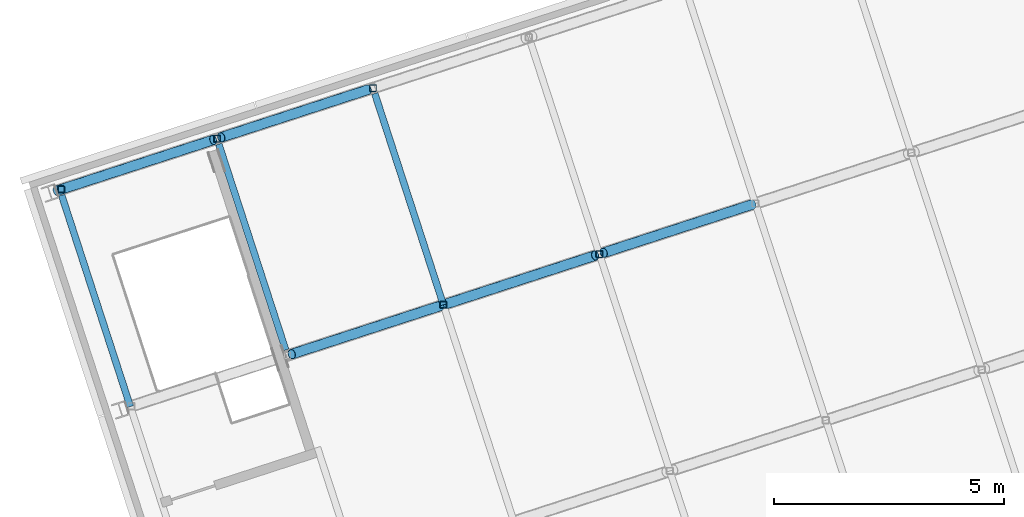
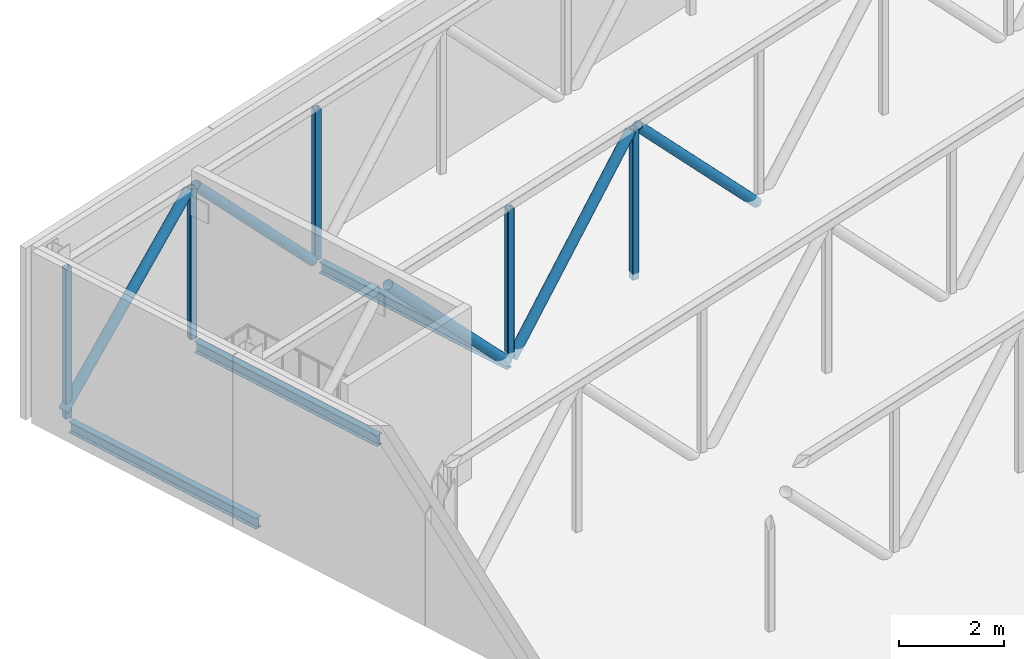
# One storey, part 8 of 52: 10 members, 3 beams.
"""IFC4 building model written with IfcOpenShell, lengths in metres."""

from ifc_helpers import new_model, si_unit, direction, frame, origin, origin_2d, place, context, subcontext, project, spatial, hollow_rectangle, hollow_circle, i_section, extrude, material, material_profile, profile_set, type_object, element, save


model = new_model("IFC4")

# Units and contexts
model_context = context("Model", 3, precision=1e-05, world=origin(), true_north=direction((0.0, 1.0)))
body_context = subcontext(model_context, "Body", "Model", "MODEL_VIEW")
ifc_project = project(units=[si_unit("LENGTHUNIT", "METRE"), si_unit("AREAUNIT", "SQUARE_METRE"), si_unit("VOLUMEUNIT", "CUBIC_METRE"), si_unit("PLANEANGLEUNIT", "RADIAN"), si_unit("MASSUNIT", "GRAM", prefix="KILO")], contexts=[model_context])

# Site, building, storey
site_placement = place(None, origin())
site = spatial("IfcSite", under=ifc_project, at=site_placement, CompositionType="ELEMENT")
building_placement = place(site_placement, origin())
building = spatial("IfcBuilding", under=site, at=building_placement, Name="Tuart Plaza Theatre", CompositionType="ELEMENT")
storey_placement = place(building_placement, frame((0.0, 0.0, 25.5)))
storey = spatial("IfcBuildingStorey", under=building, at=storey_placement, Name="L06", CompositionType="ELEMENT", Elevation=25.5)

# Beams
ifc_material_1 = material(Name="Steel Grade 300", Category="steel")
ifc_material_profile_1 = material_profile(ifc_material_1, i_section(OverallWidth=0.14599609375, OverallDepth=0.256103515625, WebThickness=0.00634765625, FlangeThickness=0.010986328125, FilletRadius=0.0087890625, at=origin_2d()), Name="250UB37.3")
ifc_profile_set_1 = profile_set([ifc_material_profile_1], Name="Steel Grade 300")
beam_type = type_object("IfcBeamType", Name="BEAM 250UB37.3", PredefinedType="BEAM", material=ifc_profile_set_1)
beam_1_placement = place(storey_placement, frame((36.9140625, 83.013671875, -0.278076171875), z_axis=(-0.309008270648, 0.951059350762, 0.0), x_axis=(-0.951059350762, -0.309008270648, 0.0)))
element("IfcBeam", 1, at=beam_1_placement, inside=storey, type_object=beam_type, Name="SB58", PredefinedType="BEAM", context=body_context, shape_type="SweptSolid", body=[
    extrude(i_section(OverallWidth=0.14599609375, OverallDepth=0.256103515625, WebThickness=0.00634765625, FlangeThickness=0.010986328125, FilletRadius=0.0087890625, at=origin_2d()), origin(), (0.0, 0.0, 1.0), 4.824951171875),
])
beam_2_placement = place(storey_placement, frame((40.2880859375, 84.2412109375, -0.278076171875), z_axis=(-0.309019121908, 0.951055825015, 0.0), x_axis=(-0.951055825015, -0.309019121908, 0.0)))
element("IfcBeam", 2, at=beam_2_placement, inside=storey, type_object=beam_type, Name="SB62", PredefinedType="BEAM", context=body_context, shape_type="SweptSolid", body=[
    extrude(i_section(OverallWidth=0.14599609375, OverallDepth=0.256103515625, WebThickness=0.00634765625, FlangeThickness=0.010986328125, FilletRadius=0.0087890625, at=origin_2d()), origin(), (0.0, 0.0, 1.0), 4.699951171875),
])
beam_3_placement = place(storey_placement, frame((43.71337890625, 85.222900390625, -0.278076171875), z_axis=(-0.309008270648, 0.951059350762, 0.0), x_axis=(-0.951059350762, -0.309008270648, 0.0)))
element("IfcBeam", 3, at=beam_3_placement, inside=storey, type_object=beam_type, Name="SB66", PredefinedType="BEAM", context=body_context, shape_type="SweptSolid", body=[
    extrude(i_section(OverallWidth=0.14599609375, OverallDepth=0.256103515625, WebThickness=0.00634765625, FlangeThickness=0.010986328125, FilletRadius=0.0087890625, at=origin_2d()), origin(), (0.0, 0.0, 1.0), 4.824951171875),
])

# Members
ifc_material_2 = material(Name="Steel Grade C350L0", Category="steel")
ifc_material_profile_2 = material_profile(ifc_material_2, hollow_circle(Radius=0.109619140625, WallThickness=0.00830078125, at=origin_2d()), Name="219.1x8.2 CHS")
ifc_profile_set_2 = profile_set([ifc_material_profile_2], Name="Steel Grade C350L0")
member_type_1 = type_object("IfcMemberType", Name="MEMBER Brace 219.1x8.2 CHS", PredefinedType="BRACE", material=ifc_profile_set_2)
for number, where, z_axis, x_axis, name in (
    (4, (40.417724609375, 84.15185546875, 3.346923828125), (0.657359012755, 0.213598153672, -0.722672095142), (-0.309029116035, 0.951052577644, 0.0), "BR48"),
    (5, (43.782958984375, 85.245361328125, -0.199951171875), (0.657359012755, 0.213598153672, 0.722672095142), (-0.309029116035, 0.951052577644, 0.0), "BR49"),
    (6, (47.19140625, 86.352783203125, 3.346923828125), (0.657359012755, 0.213598153672, -0.722672095142), (-0.309029116035, 0.951052577644, 0.0), "BR50"),
):
    element("IfcMember", number, at=place(storey_placement, frame(where, z_axis=z_axis, x_axis=x_axis)), inside=storey, type_object=member_type_1, Name=name, PredefinedType="BRACE", context=body_context, shape_type="SweptSolid", body=[
        extrude(hollow_circle(Radius=0.109619140625, WallThickness=0.00830078125, at=origin_2d()), origin(), (0.0, 0.0, 1.0), 4.907958984375),
    ])
member_1_placement = place(storey_placement, frame((35.315185546875, 87.69873046875, 0.050048828125), z_axis=(0.699130992648, 0.227169879487, 0.677945204992), x_axis=(-0.309027391203, 0.951053138098, 0.0)))
element("IfcMember", 7, at=member_1_placement, inside=storey, type_object=member_type_1, Name="BR55", PredefinedType="BRACE", context=body_context, shape_type="SweptSolid", body=[
    extrude(hollow_circle(Radius=0.109619140625, WallThickness=0.00830078125, at=origin_2d()), origin(), (0.0, 0.0, 1.0), 4.863037109375),
])
member_2_placement = place(storey_placement, frame((38.887939453125, 88.859619140625, 3.346923828125), z_axis=(0.657504502346, 0.21363599566, -0.72252853975), x_axis=(-0.30901677521, 0.951056587506, 0.0)))
element("IfcMember", 8, at=member_2_placement, inside=storey, type_object=member_type_1, Name="BR56", PredefinedType="BRACE", context=body_context, shape_type="SweptSolid", body=[
    extrude(hollow_circle(Radius=0.109619140625, WallThickness=0.00830078125, at=origin_2d()), origin(), (0.0, 0.0, 1.0), 4.839599609375),
])
ifc_material_3 = material(Name="Steel Grade C350L0", Category="steel")
ifc_material_profile_3 = material_profile(ifc_material_3, hollow_rectangle(XDim=0.14990234375, YDim=0.14990234375, WallThickness=0.009033203125, InnerFilletRadius=0.009033203125, OuterFilletRadius=0.01806640625, at=origin_2d()), Name="150x150x9 SHS")
ifc_profile_set_3 = profile_set([ifc_material_profile_3], Name="Steel Grade C350L0")
member_type_2 = type_object("IfcMemberType", Name="MEMBER Post 150x150x9 SHS", PredefinedType="POST", material=ifc_profile_set_3)
for number, where, z_axis, x_axis, name in (
    (9, (43.71337890625, 85.222900390625, -0.14990234375), (0.0, 0.0, 1.0), (1.0, 0.0, 0.0), "PO56"),
    (10, (47.100341796875, 86.3232421875, -0.14990234375), (0.0, 0.0, 1.0), (1.0, 0.0, 0.0), "PO57"),
    (11, (35.41015625, 87.729736328125, -0.14990234375), (0.0, 0.0, 1.0), (1.0, 0.0, 0.0), "PO63"),
    (12, (38.797119140625, 88.830078125, -0.14990234375), (0.0, 0.0, 1.0), (1.0, 0.0, 0.0), "PO64"),
    (13, (42.183837890625, 89.9306640625, -0.14990234375), (0.0, 0.0, 1.0), (1.0, 0.0, 0.0), "PO65"),
):
    element("IfcMember", number, at=place(storey_placement, frame(where, z_axis=z_axis, x_axis=x_axis)), inside=storey, type_object=member_type_2, Name=name, PredefinedType="POST", context=body_context, shape_type="SweptSolid", body=[
        extrude(hollow_rectangle(XDim=0.14990234375, YDim=0.14990234375, WallThickness=0.009033203125, InnerFilletRadius=0.009033203125, OuterFilletRadius=0.01806640625, at=origin_2d()), origin(), (0.0, 0.0, 1.0), 3.496826171875),
    ])

save(model, "model.ifc")
